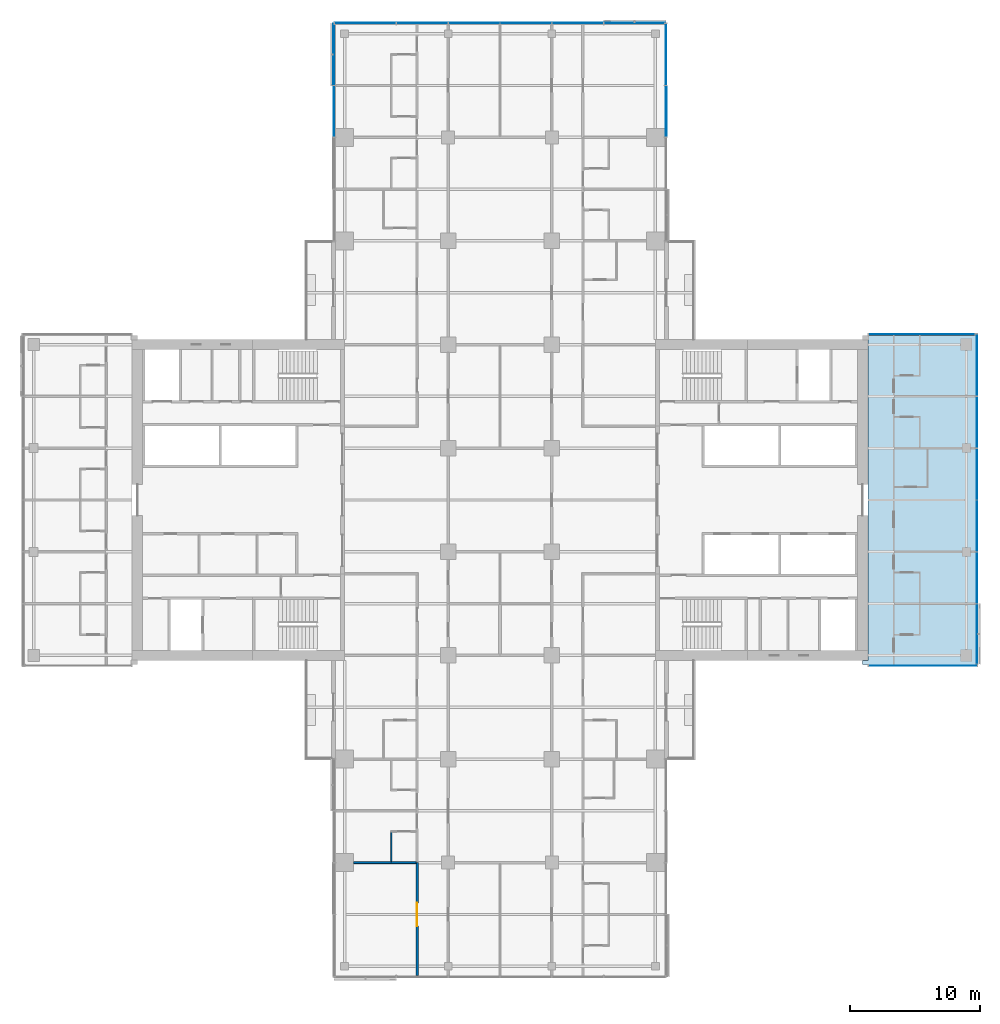
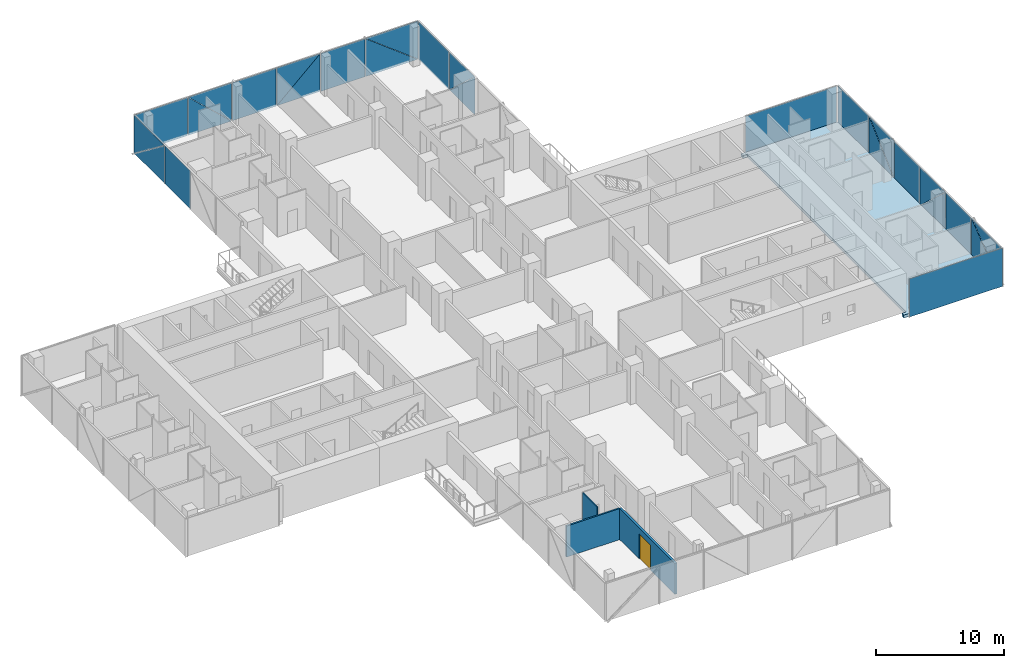
# One storey, part 14 of 27: 26 plates, 3 walls, 1 door, 1 slab, 1 opening, 6 elements without a shape of their own.
"""IFC4 building model written with IfcOpenShell, lengths in metres."""

from ifc_helpers import new_model, si_unit, direction, frame, frame_2d, origin, place, context, subcontext, project, spatial, polyline, rectangle, outline, extrude, material, layer, layer_set, type_object, element, fill, aggregate, save


model = new_model("IFC4")

# Units and contexts
model_context = context("Model", 3, precision=1e-05, world=origin(), true_north=direction((0.0, 1.0)))
body_context = subcontext(model_context, "Body", "Model", "MODEL_VIEW")
ifc_project = project(units=[si_unit("LENGTHUNIT", "METRE"), si_unit("AREAUNIT", "SQUARE_METRE"), si_unit("VOLUMEUNIT", "CUBIC_METRE"), si_unit("PLANEANGLEUNIT", "RADIAN"), si_unit("MASSUNIT", "GRAM", prefix="KILO")], contexts=[model_context])

# Site, building, storey
site_placement = place(None, origin())
site = spatial("IfcSite", under=ifc_project, at=site_placement, CompositionType="ELEMENT")
building_placement = place(site_placement, origin())
building = spatial("IfcBuilding", under=site, at=building_placement, Name="Crosswind Convention Tower", CompositionType="ELEMENT")
storey_placement = place(building_placement, frame((0.0, 0.0, 64.60009765625)))
storey = spatial("IfcBuildingStorey", under=building, at=storey_placement, Name="L10", CompositionType="ELEMENT", Elevation=64.60009765625)

# Slab
ifc_material_1 = material(Name="Concrete C40/50", Category="concrete")
ifc_layer_1 = layer(ifc_material_1, 0.280029296875)
ifc_layer_set_1 = layer_set([ifc_layer_1], Name="Concrete C40/50")
slab_type = type_object("IfcSlabType", Name="Composite floor slab 280", PredefinedType="FLOOR", material=ifc_layer_set_1)
slab_placement = place(storey_placement, frame((0.0, 0.0, -0.280029296875)))
element("IfcSlab", 1, at=slab_placement, inside=storey, type_object=slab_type, Name="Floor slab L10 part 3", PredefinedType="FLOOR", context=body_context, shape_type="SweptSolid", body=[
    extrude(outline(polyline([(153.0, 112.699951171875), (161.0, 112.699951171875), (161.699951171875, 112.699951171875), (161.699951171875, 112.0), (161.699951171875, 88.0), (161.699951171875, 87.300048828125), (161.0, 87.300048828125), (153.0, 87.300048828125), (153.0, 87.60009765625), (153.39990234375, 87.60009765625), (153.39990234375, 112.39990234375), (153.0, 112.39990234375), (153.0, 112.699951171875)])), origin(), (0.0, 0.0, 1.0), 0.280029296875),
])

# Curtain wall, plate
ifc_material_2 = material(Name="Aluminium unitised curtain wall", Category="aluminium")
curtain_wall_type_1 = type_object("IfcCurtainWallType", Name="CORE END SLOT WALL 160", PredefinedType="USERDEFINED", material=ifc_material_2)
curtain_wall_1_placement = place(storey_placement, origin())
curtain_wall_1 = element("IfcCurtainWall", 2, at=curtain_wall_1_placement, inside=storey, type_object=curtain_wall_type_1, Name="CW6 L10 E-N.1-1 slot", ObjectType="UNITISED", PredefinedType="USERDEFINED")
ifc_material_3 = material(Name="Laminated insulating glass unit", Category="glass")
ifc_layer_2 = layer(ifc_material_3, 0.02587890625)
ifc_layer_set_2 = layer_set([ifc_layer_2], Name="TRIANGULAR GLASS PANEL 26")
plate_type_1 = type_object("IfcPlateType", Name="TRIANGULAR GLASS PANEL 26", PredefinedType="CURTAIN_PANEL", material=ifc_layer_set_2)
plate_1_placement = place(storey_placement, frame((161.64990234375, 112.806640625, -0.280029296875), z_axis=(0.0, 0.999999919464, 0.00040133776), x_axis=(-1.0, 0.0, 0.0)))
plate_1 = element("IfcPlate", 3, at=plate_1_placement, type_object=plate_type_1, Name="CW6 panel 1.1", PredefinedType="CURTAIN_PANEL", context=body_context, shape_type="SweptSolid", body=[
    extrude(outline(polyline([(0.0, 0.0), (8.199951171875, 0.0), (8.199951171875, 3.6499026376985664), (0.0, 3.6499026376985664), (0.0, 0.0)])), origin(), (0.0, 0.0, -1.0), 0.02587890625),
])
aggregate(curtain_wall_1, [plate_1])

curtain_wall_2_placement = place(storey_placement, origin())
curtain_wall_2 = element("IfcCurtainWall", 4, at=curtain_wall_2_placement, inside=storey, type_object=curtain_wall_type_1, Name="CW6 L10 E-S.2-1 slot", ObjectType="UNITISED", PredefinedType="USERDEFINED")
plate_2_placement = place(storey_placement, frame((153.449951171875, 87.193359375, -0.280029296875), z_axis=(0.0, -0.999999919464, 0.00040133776), x_axis=(1.0, 0.0, 0.0)))
plate_2 = element("IfcPlate", 5, at=plate_2_placement, type_object=plate_type_1, Name="CW6 panel 1.1", PredefinedType="CURTAIN_PANEL", context=body_context, shape_type="SweptSolid", body=[
    extrude(outline(polyline([(0.0, 0.0), (8.400146484375, 0.0), (8.400146484375, 3.649902637698567), (0.0, 3.649902637698567), (0.0, 0.0)])), origin(), (0.0, 0.0, -1.0), 0.02587890625),
])
aggregate(curtain_wall_2, [plate_2])

# Curtain wall, plates
curtain_wall_type_2 = type_object("IfcCurtainWallType", Name="HOTEL UNITISED WALL 200", PredefinedType="USERDEFINED", material=ifc_material_2)
curtain_wall_3_placement = place(storey_placement, origin())
curtain_wall_3 = element("IfcCurtainWall", 6, at=curtain_wall_3_placement, inside=storey, type_object=curtain_wall_type_2, Name="CW2 L10 E-TIP 1", ObjectType="UNITISED", PredefinedType="USERDEFINED")
ifc_layer_3 = layer(ifc_material_3, 0.028076171875)
ifc_layer_set_3 = layer_set([ifc_layer_3], Name="TRIANGULAR GLASS PANEL 28")
plate_type_2 = type_object("IfcPlateType", Name="TRIANGULAR GLASS PANEL 28", PredefinedType="CURTAIN_PANEL", material=ifc_layer_set_3)
plate_3_placement = place(storey_placement, frame((161.82861328125, 91.967529296875, -0.280029296875), z_axis=(0.999999943209, 0.0, 0.000337018045), x_axis=(-0.000337018045, 0.0, 0.999999943209)))
plate_3 = element("IfcPlate", 7, at=plate_3_placement, type_object=plate_type_2, Name="CW2 panel 1.1", PredefinedType="CURTAIN_PANEL", context=body_context, shape_type="SweptSolid", body=[
    extrude(outline(polyline([(0.0, 0.0), (3.622070518199496, 0.0), (0.0, 4.58642578125), (0.0, 0.0)])), origin(), (0.0, 0.0, -1.0), 0.028076171875),
])
plate_4_placement = place(storey_placement, frame((161.857177734375, 87.364990234375, 3.35498046875), z_axis=(0.999999918233, 0.0, 0.000404394386), x_axis=(0.000404394386, 0.0, -0.999999918233)))
plate_4 = element("IfcPlate", 8, at=plate_4_placement, type_object=plate_type_2, Name="CW2 panel 1.2", PredefinedType="CURTAIN_PANEL", context=body_context, shape_type="SweptSolid", body=[
    extrude(outline(polyline([(0.0, 0.0), (3.6223147493123067, 0.0), (0.0, 4.58642578125), (0.0, 0.0)])), origin(), (0.0, 0.0, -1.0), 0.028076171875),
])
plate_5_placement = place(storey_placement, frame((161.82861328125, 92.032470703125, -0.280029296875), z_axis=(0.999999943613, 0.0, 0.00033581837), x_axis=(0.0, 1.0, 0.0)))
plate_5 = element("IfcPlate", 9, at=plate_5_placement, type_object=plate_type_2, Name="CW2 panel 2.1", PredefinedType="CURTAIN_PANEL", context=body_context, shape_type="SweptSolid", body=[
    extrude(outline(polyline([(0.0, 0.0), (3.93505859375, 0.0), (3.93505859375, 3.635009970592273), (0.0, 3.635009970592273), (0.0, 0.0)])), origin(), (0.0, 0.0, -1.0), 0.028076171875),
])
plate_6_placement = place(storey_placement, frame((161.827392578125, 99.967529296875, 3.35498046875), z_axis=(0.999999943194, 0.0, 0.000337063484), x_axis=(0.0, -1.0, 0.0)))
plate_6 = element("IfcPlate", 10, at=plate_6_placement, type_object=plate_type_2, Name="CW2 panel 3.1", PredefinedType="CURTAIN_PANEL", context=body_context, shape_type="SweptSolid", body=[
    extrude(outline(polyline([(0.0, 0.0), (3.92041015625, 0.0), (0.0, 3.62158223697723), (0.0, 0.0)])), origin(), (0.0, 0.0, -1.0), 0.028076171875),
])
plate_7_placement = place(storey_placement, frame((161.858642578125, 96.032470703125, -0.280029296875), z_axis=(0.999999918188, 0.0, 0.000404503439), x_axis=(0.0, 1.0, 0.0)))
plate_7 = element("IfcPlate", 11, at=plate_7_placement, type_object=plate_type_2, Name="CW2 panel 3.2", PredefinedType="CURTAIN_PANEL", context=body_context, shape_type="SweptSolid", body=[
    extrude(outline(polyline([(0.0, 0.0), (3.92041015625, 0.0), (0.0, 3.6213381868921792), (0.0, 0.0)])), origin(), (0.0, 0.0, -1.0), 0.028076171875),
])
plate_8_placement = place(storey_placement, frame((161.82861328125, 100.032470703125, -0.280029296875), z_axis=(0.999999943613, 0.0, 0.00033581837), x_axis=(0.0, 1.0, 0.0)))
plate_8 = element("IfcPlate", 12, at=plate_8_placement, type_object=plate_type_2, Name="CW2 panel 4.1", PredefinedType="CURTAIN_PANEL", context=body_context, shape_type="SweptSolid", body=[
    extrude(outline(polyline([(0.0, 0.0), (3.93505859375, 0.0), (3.93505859375, 3.635009970592273), (0.0, 3.635009970592273), (0.0, 0.0)])), origin(), (0.0, 0.0, -1.0), 0.028076171875),
])
plate_9_placement = place(storey_placement, frame((161.82861328125, 107.967529296875, -0.280029296875), z_axis=(0.999999943186, 0.0, 0.000337086208), x_axis=(-0.000337086208, 0.0, 0.999999943186)))
plate_9 = element("IfcPlate", 13, at=plate_9_placement, type_object=plate_type_2, Name="CW2 panel 5.1", PredefinedType="CURTAIN_PANEL", context=body_context, shape_type="SweptSolid", body=[
    extrude(outline(polyline([(0.0, 0.0), (3.6213380963660997, 0.0), (0.0, 3.920410156250001), (0.0, 0.0)])), origin(), (0.0, 0.0, -1.0), 0.028076171875),
])
plate_10_placement = place(storey_placement, frame((161.857177734375, 104.032470703125, 3.35498046875), z_axis=(0.9999999182, 0.0, 0.00040447617), x_axis=(0.00040447617, 0.0, -0.9999999182)))
plate_10 = element("IfcPlate", 14, at=plate_10_placement, type_object=plate_type_2, Name="CW2 panel 5.2", PredefinedType="CURTAIN_PANEL", context=body_context, shape_type="SweptSolid", body=[
    extrude(outline(polyline([(0.0, 0.0), (3.621582327497207, 0.0), (0.0, 3.92041015625), (0.0, 0.0)])), origin(), (0.0, 0.0, -1.0), 0.028076171875),
])
plate_11_placement = place(storey_placement, frame((161.82861328125, 108.032470703125, -0.280029296875), z_axis=(0.999999943613, 0.0, 0.00033581837), x_axis=(0.0, 1.0, 0.0)))
plate_11 = element("IfcPlate", 15, at=plate_11_placement, type_object=plate_type_2, Name="CW2 panel 6.1", PredefinedType="CURTAIN_PANEL", context=body_context, shape_type="SweptSolid", body=[
    extrude(outline(polyline([(0.0, 0.0), (4.762451171875, 0.0), (4.762451171875, 3.635009970592273), (0.0, 3.635009970592273), (0.0, 0.0)])), origin(), (0.0, 0.0, -1.0), 0.028076171875),
])
aggregate(curtain_wall_3, [plate_3, plate_4, plate_5, plate_6, plate_7, plate_8, plate_9, plate_10, plate_11])

curtain_wall_4_placement = place(storey_placement, origin())
curtain_wall_4 = element("IfcCurtainWall", 16, at=curtain_wall_4_placement, inside=storey, type_object=curtain_wall_type_2, Name="CW2 L10 N-E 1", ObjectType="UNITISED", PredefinedType="USERDEFINED")
plate_12_placement = place(storey_placement, frame((137.827392578125, 131.967529296875, 3.35498046875), z_axis=(0.999999943194, 0.0, 0.000337063484), x_axis=(0.0, -1.0, 0.0)))
plate_12 = element("IfcPlate", 17, at=plate_12_placement, type_object=plate_type_2, Name="CW2 panel 3.1", PredefinedType="CURTAIN_PANEL", context=body_context, shape_type="SweptSolid", body=[
    extrude(outline(polyline([(0.0, 0.0), (3.92041015625, 0.0), (0.0, 3.62158223697723), (0.0, 0.0)])), origin(), (0.0, 0.0, -1.0), 0.028076171875),
])
plate_13_placement = place(storey_placement, frame((137.858642578125, 128.032470703125, -0.280029296875), z_axis=(0.999999918188, 0.0, 0.000404503439), x_axis=(0.0, 1.0, 0.0)))
plate_13 = element("IfcPlate", 18, at=plate_13_placement, type_object=plate_type_2, Name="CW2 panel 3.2", PredefinedType="CURTAIN_PANEL", context=body_context, shape_type="SweptSolid", body=[
    extrude(outline(polyline([(0.0, 0.0), (3.92041015625, 0.0), (0.0, 3.6213381868921792), (0.0, 0.0)])), origin(), (0.0, 0.0, -1.0), 0.028076171875),
])
plate_14_placement = place(storey_placement, frame((137.82861328125, 132.032470703125, -0.280029296875), z_axis=(0.999999943613, 0.0, 0.00033581837), x_axis=(0.0, 1.0, 0.0)))
plate_14 = element("IfcPlate", 19, at=plate_14_placement, type_object=plate_type_2, Name="CW2 panel 4.1", PredefinedType="CURTAIN_PANEL", context=body_context, shape_type="SweptSolid", body=[
    extrude(outline(polyline([(0.0, 0.0), (4.735107421875, 0.0), (4.735107421875, 3.6350099705922725), (0.0, 3.6350099705922725), (0.0, 0.0)])), origin(), (0.0, 0.0, -1.0), 0.028076171875),
])
aggregate(curtain_wall_4, [plate_12, plate_13, plate_14])

curtain_wall_5_placement = place(storey_placement, origin())
curtain_wall_5 = element("IfcCurtainWall", 20, at=curtain_wall_5_placement, inside=storey, type_object=curtain_wall_type_2, Name="CW2 L10 N-TIP 1", ObjectType="UNITISED", PredefinedType="USERDEFINED")
plate_15_placement = place(storey_placement, frame((133.032470703125, 136.82861328125, -0.280029296875), z_axis=(0.0, 0.999999943217, 0.00033699533), x_axis=(0.0, -0.00033699533, 0.999999943217)))
plate_15 = element("IfcPlate", 21, at=plate_15_placement, type_object=plate_type_2, Name="CW2 panel 1.1", PredefinedType="CURTAIN_PANEL", context=body_context, shape_type="SweptSolid", body=[
    extrude(outline(polyline([(0.0, 0.0), (3.6223146588106325, 0.0), (0.0, 4.718505859374999), (0.0, 0.0)])), origin(), (0.0, 0.0, -1.0), 0.028076171875),
])
plate_16_placement = place(storey_placement, frame((137.767578125, 136.857177734375, 3.35498046875), z_axis=(0.0, 0.999999918244, 0.000404367132), x_axis=(0.0, 0.000404367132, -0.999999918244)))
plate_16 = element("IfcPlate", 22, at=plate_16_placement, type_object=plate_type_2, Name="CW2 panel 1.2", PredefinedType="CURTAIN_PANEL", context=body_context, shape_type="SweptSolid", body=[
    extrude(outline(polyline([(0.0, 0.0), (3.6225588899173458, 0.0), (0.0, 4.718749999999999), (0.0, 0.0)])), origin(), (0.0, 0.0, -1.0), 0.028076171875),
])
plate_17_placement = place(storey_placement, frame((132.967529296875, 136.82861328125, -0.280029296875), z_axis=(0.0, 0.999999943613, 0.00033581837), x_axis=(-1.0, 0.0, 0.0)))
plate_17 = element("IfcPlate", 23, at=plate_17_placement, type_object=plate_type_2, Name="CW2 panel 2.1", PredefinedType="CURTAIN_PANEL", context=body_context, shape_type="SweptSolid", body=[
    extrude(outline(polyline([(0.0, 0.0), (3.93505859375, 0.0), (3.93505859375, 3.635009970592273), (0.0, 3.635009970592273), (0.0, 0.0)])), origin(), (0.0, 0.0, -1.0), 0.028076171875),
])
plate_18_placement = place(storey_placement, frame((125.032470703125, 136.827392578125, 3.35498046875), z_axis=(0.0, 0.999999943194, 0.000337063484), x_axis=(1.0, 0.0, 0.0)))
plate_18 = element("IfcPlate", 24, at=plate_18_placement, type_object=plate_type_2, Name="CW2 panel 3.1", PredefinedType="CURTAIN_PANEL", context=body_context, shape_type="SweptSolid", body=[
    extrude(outline(polyline([(0.0, 0.0), (3.92041015625, 0.0), (0.0, 3.62158223697723), (0.0, 0.0)])), origin(), (0.0, 0.0, -1.0), 0.028076171875),
])
plate_19_placement = place(storey_placement, frame((128.967529296875, 136.858642578125, -0.280029296875), z_axis=(0.0, 0.999999918188, 0.000404503439), x_axis=(-1.0, 0.0, 0.0)))
plate_19 = element("IfcPlate", 25, at=plate_19_placement, type_object=plate_type_2, Name="CW2 panel 3.2", PredefinedType="CURTAIN_PANEL", context=body_context, shape_type="SweptSolid", body=[
    extrude(outline(polyline([(0.0, 0.0), (3.92041015625, 0.0), (0.0, 3.6213381868921792), (0.0, 0.0)])), origin(), (0.0, 0.0, -1.0), 0.028076171875),
])
plate_20_placement = place(storey_placement, frame((124.967529296875, 136.82861328125, -0.280029296875), z_axis=(0.0, 0.999999943613, 0.00033581837), x_axis=(-1.0, 0.0, 0.0)))
plate_20 = element("IfcPlate", 26, at=plate_20_placement, type_object=plate_type_2, Name="CW2 panel 4.1", PredefinedType="CURTAIN_PANEL", context=body_context, shape_type="SweptSolid", body=[
    extrude(outline(polyline([(0.0, 0.0), (3.93505859375, 0.0), (3.93505859375, 3.635009970592273), (0.0, 3.635009970592273), (0.0, 0.0)])), origin(), (0.0, 0.0, -1.0), 0.028076171875),
])
plate_21_placement = place(storey_placement, frame((117.032470703125, 136.82861328125, -0.280029296875), z_axis=(0.0, 0.999999943186, 0.000337086208), x_axis=(0.0, -0.000337086208, 0.999999943186)))
plate_21 = element("IfcPlate", 27, at=plate_21_placement, type_object=plate_type_2, Name="CW2 panel 5.1", PredefinedType="CURTAIN_PANEL", context=body_context, shape_type="SweptSolid", body=[
    extrude(outline(polyline([(0.0, 0.0), (3.6213380963660997, 0.0), (0.0, 3.920410156250001), (0.0, 0.0)])), origin(), (0.0, 0.0, -1.0), 0.028076171875),
])
plate_22_placement = place(storey_placement, frame((120.967529296875, 136.857177734375, 3.35498046875), z_axis=(0.0, 0.9999999182, 0.00040447617), x_axis=(0.0, 0.00040447617, -0.9999999182)))
plate_22 = element("IfcPlate", 28, at=plate_22_placement, type_object=plate_type_2, Name="CW2 panel 5.2", PredefinedType="CURTAIN_PANEL", context=body_context, shape_type="SweptSolid", body=[
    extrude(outline(polyline([(0.0, 0.0), (3.621582327497207, 0.0), (0.0, 3.92041015625), (0.0, 0.0)])), origin(), (0.0, 0.0, -1.0), 0.028076171875),
])
plate_23_placement = place(storey_placement, frame((116.967529296875, 136.82861328125, -0.280029296875), z_axis=(0.0, 0.999999943613, 0.00033581837), x_axis=(-1.0, 0.0, 0.0)))
plate_23 = element("IfcPlate", 29, at=plate_23_placement, type_object=plate_type_2, Name="CW2 panel 6.1", PredefinedType="CURTAIN_PANEL", context=body_context, shape_type="SweptSolid", body=[
    extrude(outline(polyline([(0.0, 0.0), (4.735107421875, 0.0), (4.735107421875, 3.6350099705922725), (0.0, 3.6350099705922725), (0.0, 0.0)])), origin(), (0.0, 0.0, -1.0), 0.028076171875),
])
aggregate(curtain_wall_5, [plate_15, plate_16, plate_17, plate_18, plate_19, plate_20, plate_21, plate_22, plate_23])

curtain_wall_6_placement = place(storey_placement, origin())
curtain_wall_6 = element("IfcCurtainWall", 30, at=curtain_wall_6_placement, inside=storey, type_object=curtain_wall_type_2, Name="CW2 L10 N-W 1", ObjectType="UNITISED", PredefinedType="USERDEFINED")
plate_24_placement = place(storey_placement, frame((112.17138671875, 132.032470703125, -0.280029296875), z_axis=(-0.999999943217, 0.0, 0.00033699533), x_axis=(0.00033699533, 0.0, 0.999999943217)))
plate_24 = element("IfcPlate", 31, at=plate_24_placement, type_object=plate_type_2, Name="CW2 panel 1.1", PredefinedType="CURTAIN_PANEL", context=body_context, shape_type="SweptSolid", body=[
    extrude(outline(polyline([(0.0, 0.0), (3.6223146588106325, 0.0), (0.0, 4.718505859374999), (0.0, 0.0)])), origin(), (0.0, 0.0, -1.0), 0.028076171875),
])
plate_25_placement = place(storey_placement, frame((112.142822265625, 136.767578125, 3.35498046875), z_axis=(-0.999999918244, 0.0, 0.000404367132), x_axis=(-0.000404367132, 0.0, -0.999999918244)))
plate_25 = element("IfcPlate", 32, at=plate_25_placement, type_object=plate_type_2, Name="CW2 panel 1.2", PredefinedType="CURTAIN_PANEL", context=body_context, shape_type="SweptSolid", body=[
    extrude(outline(polyline([(0.0, 0.0), (3.6225588899173458, 0.0), (0.0, 4.718749999999999), (0.0, 0.0)])), origin(), (0.0, 0.0, -1.0), 0.028076171875),
])
plate_26_placement = place(storey_placement, frame((112.17138671875, 131.967529296875, -0.280029296875), z_axis=(-0.999999943613, 0.0, 0.00033581837), x_axis=(0.0, -1.0, 0.0)))
plate_26 = element("IfcPlate", 33, at=plate_26_placement, type_object=plate_type_2, Name="CW2 panel 2.1", PredefinedType="CURTAIN_PANEL", context=body_context, shape_type="SweptSolid", body=[
    extrude(outline(polyline([(0.0, 0.0), (3.93505859375, 0.0), (3.93505859375, 3.635009970592273), (0.0, 3.635009970592273), (0.0, 0.0)])), origin(), (0.0, 0.0, -1.0), 0.028076171875),
])
aggregate(curtain_wall_6, [plate_24, plate_25, plate_26])

# Wall
ifc_material_4 = material(Name="Acoustic plasterboard partition", Category="gypsum")
ifc_layer_4 = layer(ifc_material_4, 0.14990234375)
ifc_layer_set_4 = layer_set([ifc_layer_4], Name="GUEST ROOM WALL 150")
wall_type_1 = type_object("IfcWallType", Name="GUEST ROOM WALL 150", PredefinedType="PARTITIONING", material=ifc_layer_set_4)
wall_1_placement = place(storey_placement, frame((113.699951171875, 72.0, 0.0), z_axis=(0.0, 0.0, 1.0), x_axis=(1.0, 0.0, 0.0)))
element("IfcWall", 34, at=wall_1_placement, inside=storey, type_object=wall_type_1, Name="Guest Room Wall 4", PredefinedType="PARTITIONING", context=body_context, shape_type="SweptSolid", body=[
    extrude(rectangle(XDim=4.824951171875, YDim=0.14990234375, at=frame_2d((2.41259765625, 0.0))), origin(), (0.0, 0.0, 1.0), 2.959716796875),
])

# Wall, opening, door
ifc_material_5 = material(Name="Double plasterboard partition", Category="gypsum")
ifc_layer_5 = layer(ifc_material_5, 0.199951171875)
ifc_layer_set_5 = layer_set([ifc_layer_5], Name="HALL WALL 200")
wall_type_2 = type_object("IfcWallType", Name="HALL WALL 200", PredefinedType="PARTITIONING", material=ifc_layer_set_5)
wall_2_placement = place(storey_placement, frame((118.60009765625, 63.300048828125, 0.0), z_axis=(0.0, 0.0, 1.0), x_axis=(0.0, 1.0, 0.0)))
wall_2 = element("IfcWall", 35, at=wall_2_placement, inside=storey, type_object=wall_type_2, Name="Hall Wall 82", PredefinedType="PARTITIONING", context=body_context, shape_type="SweptSolid", body=[
    extrude(rectangle(XDim=8.699951171875, YDim=0.199951171875, at=frame_2d((4.35009765625, 0.0))), origin(), (0.0, 0.0, 1.0), 2.959716796875),
])
opening_placement = place(wall_2_placement, frame((3.800048828125, 0.0, 0.0)))
opening = element("IfcOpeningElement", 36, at=opening_placement, cuts=wall_2, Name="Opening 10.034", PredefinedType="OPENING", context=body_context, shape_type="SweptSolid", body=[
    extrude(rectangle(XDim=1.800048828125, YDim=2.39990234375, at=frame_2d((0.89990234375, 1.199951171875))), frame((0.0, 0.10986328125, 0.0), z_axis=(0.0, -1.0, 0.0), x_axis=(1.0, 0.0, 0.0)), (0.0, 0.0, 1.0), 0.219970703125),
])
ifc_material_6 = material(Name="Timber fire door", Category="wood")
door_type = type_object("IfcDoorType", Name="HALL DOUBLE DOOR 1800X2400", OperationType="DOUBLE_DOOR_SINGLE_SWING", PredefinedType="DOOR", material=ifc_material_6)
door_placement = place(opening_placement, frame((1.800048828125, 0.0, 0.0), z_axis=(0.0, 0.0, 1.0), x_axis=(-1.0, 0.0, 0.0)))
door = element("IfcDoor", 37, at=door_placement, inside=storey, type_object=door_type, Name="Door 10.034", ObjectType="D5", OperationType="DOUBLE_DOOR_SINGLE_SWING", OverallHeight=2.39990234375, OverallWidth=1.800048828125, PredefinedType="DOOR", context=body_context, shape_type="SweptSolid", body=[
    extrude(rectangle(XDim=1.800048828125, YDim=2.39990234375, at=frame_2d((0.89990234375, 1.199951171875))), frame((0.0, 0.02490234375, 0.0), z_axis=(0.0, -1.0, 0.0), x_axis=(1.0, 0.0, 0.0)), (0.0, 0.0, 1.0), 0.050048828125),
])
fill(opening, door)

# Wall
ifc_material_7 = material(Name="Water-resistant plasterboard partition", Category="gypsum")
ifc_layer_6 = layer(ifc_material_7, 0.10009765625)
ifc_layer_set_6 = layer_set([ifc_layer_6], Name="WET ROOM PARTITION 100")
wall_type_3 = type_object("IfcWallType", Name="WET ROOM PARTITION 100", PredefinedType="PLUMBINGWALL", material=ifc_layer_set_6)
wall_3_placement = place(storey_placement, frame((116.60009765625, 72.074951171875, 0.0), z_axis=(0.0, 0.0, 1.0), x_axis=(0.0, 1.0, 0.0)))
element("IfcWall", 38, at=wall_3_placement, inside=storey, type_object=wall_type_3, Name="Wet Room Partition 77", PredefinedType="PLUMBINGWALL", context=body_context, shape_type="SweptSolid", body=[
    extrude(rectangle(XDim=2.275146484375, YDim=0.10009765625, at=frame_2d((1.1376953125, 0.0))), origin(), (0.0, 0.0, 1.0), 3.699951171875),
])

save(model, "model.ifc")
